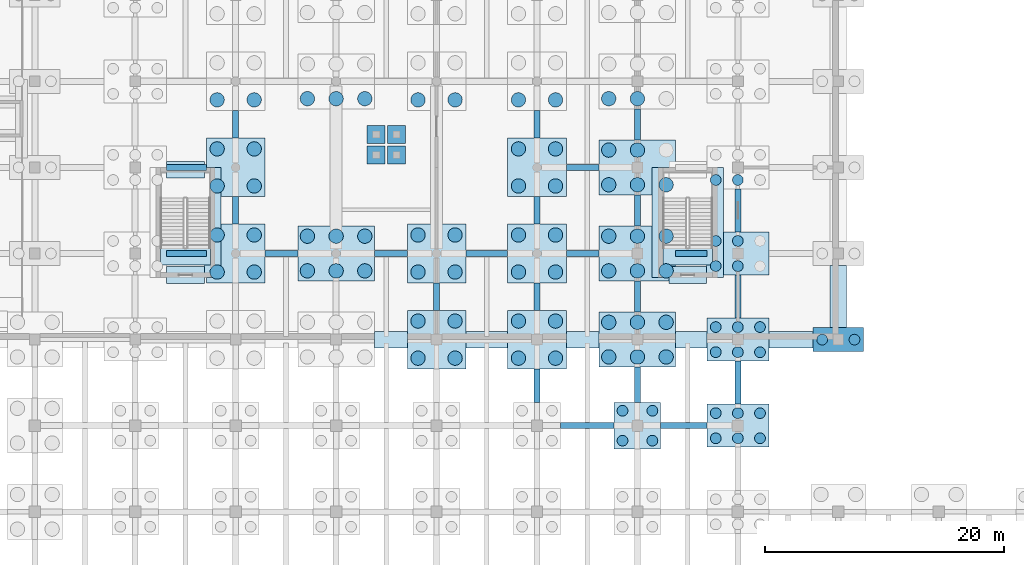
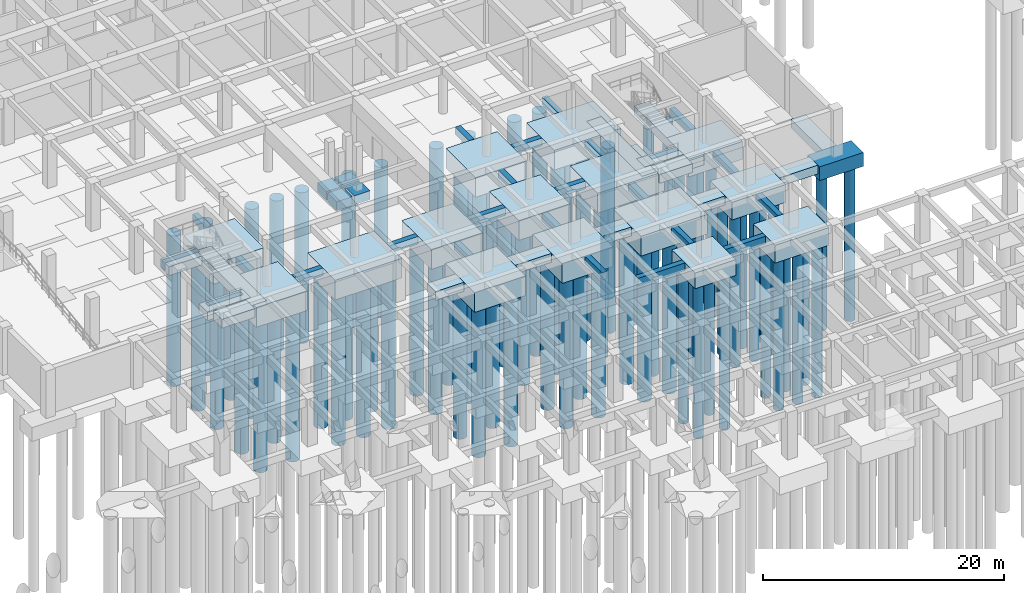
# One storey, part 5 of 26: 86 piles, 58 footings.
"""IFC4 building model written with IfcOpenShell, lengths in metres."""

from ifc_helpers import new_model, si_unit, direction, frame, origin, origin_2d, place, context, subcontext, project, spatial, rectangle, circle, extrude, material, material_profile, profile_set, type_object, element, save


model = new_model("IFC4")

# Units and contexts
model_context = context("Model", 3, precision=1e-05, world=origin(), true_north=direction((0.0, 1.0)))
body_context = subcontext(model_context, "Body", "Model", "MODEL_VIEW")
ifc_project = project(units=[si_unit("LENGTHUNIT", "METRE"), si_unit("AREAUNIT", "SQUARE_METRE"), si_unit("VOLUMEUNIT", "CUBIC_METRE"), si_unit("PLANEANGLEUNIT", "RADIAN"), si_unit("MASSUNIT", "GRAM", prefix="KILO")], contexts=[model_context])

# Site, building, storey
site_placement = place(None, origin())
site = spatial("IfcSite", under=ifc_project, at=site_placement, CompositionType="ELEMENT")
building_placement = place(site_placement, origin())
building = spatial("IfcBuilding", under=site, at=building_placement, Name="Kenerak Square Central Library", CompositionType="ELEMENT")
storey_placement = place(building_placement, frame((0.0, 0.0, -4.800048828125)))
storey = spatial("IfcBuildingStorey", under=building, at=storey_placement, Name="B1", CompositionType="ELEMENT", Elevation=-4.800048828125)

# Piles
ifc_material = material(Name="Concrete C40/50", Category="concrete")
ifc_material_profile_1 = material_profile(ifc_material, circle(Radius=0.60009765625, at=origin_2d()), Name="BP D1200")
ifc_profile_set_1 = profile_set([ifc_material_profile_1], Name="Concrete C40/50")
pile_type_1 = type_object("IfcPileType", Name="Bored Pile D1200 C40/50", PredefinedType="BORED", material=ifc_profile_set_1)
for number, where, z_axis, x_axis, name in (
    (1, (73.64990234375, 58.449951171875, -1.89990234375), (0.0, 0.0, -1.0), (1.0, 0.0, 0.0), "Bored Pile BP-1200 0303"),
    (2, (76.75, 58.449951171875, -1.89990234375), (0.0, 0.0, -1.0), (1.0, 0.0, 0.0), "Bored Pile BP-1200 0304"),
    (3, (73.64990234375, 61.550048828125, -1.89990234375), (0.0, 0.0, -1.0), (1.0, 0.0, 0.0), "Bored Pile BP-1200 0305"),
    (4, (76.75, 61.550048828125, -1.89990234375), (0.0, 0.0, -1.0), (1.0, 0.0, 0.0), "Bored Pile BP-1200 0306"),
    (5, (73.64990234375, 65.64990234375, -1.89990234375), (0.0, 0.0, -1.0), (1.0, 0.0, 0.0), "Bored Pile BP-1200 0307"),
    (6, (76.75, 65.64990234375, -1.89990234375), (0.0, 0.0, -1.0), (1.0, 0.0, 0.0), "Bored Pile BP-1200 0308"),
    (7, (73.64990234375, 68.75, -1.89990234375), (0.0, 0.0, -1.0), (1.0, 0.0, 0.0), "Bored Pile BP-1200 0309"),
    (8, (76.75, 68.75, -1.89990234375), (0.0, 0.0, -1.0), (1.0, 0.0, 0.0), "Bored Pile BP-1200 0310"),
    (9, (73.64990234375, 72.85009765625, -1.89990234375), (0.0, 0.0, -1.0), (1.0, 0.0, 0.0), "Bored Pile BP-1200 0311"),
    (10, (76.75, 72.85009765625, -1.89990234375), (0.0, 0.0, -1.0), (1.0, 0.0, 0.0), "Bored Pile BP-1200 0312"),
    (11, (81.199951171875, 58.550048828125, -1.89990234375), (0.0, 0.0, -1.0), (1.0, 0.0, 0.0), "Bored Pile BP-1200 0367"),
    (12, (83.60009765625, 58.550048828125, -1.89990234375), (0.0, 0.0, -1.0), (1.0, 0.0, 0.0), "Bored Pile BP-1200 0368"),
    (13, (86.0, 58.550048828125, -1.89990234375), (0.0, 0.0, -1.0), (1.0, 0.0, 0.0), "Bored Pile BP-1200 0369"),
    (14, (81.199951171875, 61.449951171875, -1.89990234375), (0.0, 0.0, -1.0), (1.0, 0.0, 0.0), "Bored Pile BP-1200 0370"),
    (15, (83.60009765625, 61.449951171875, -1.89990234375), (0.0, 0.0, -1.0), (1.0, 0.0, 0.0), "Bored Pile BP-1200 0371"),
    (16, (86.0, 61.449951171875, -1.89990234375), (0.0, 0.0, -1.0), (1.0, 0.0, 0.0), "Bored Pile BP-1200 0372"),
    (17, (81.199951171875, 72.949951171875, -1.89990234375), (0.0, 0.0, -1.0), (1.0, 0.0, 0.0), "Bored Pile BP-1200 0373"),
    (18, (83.60009765625, 72.949951171875, -1.89990234375), (0.0, 0.0, -1.0), (1.0, 0.0, 0.0), "Bored Pile BP-1200 0374"),
    (19, (86.0, 72.949951171875, -1.89990234375), (0.0, 0.0, -1.0), (1.0, 0.0, 0.0), "Bored Pile BP-1200 0375"),
    (20, (90.449951171875, 51.25, -1.89990234375), (0.0, 0.0, -1.0), (1.0, 0.0, 0.0), "Bored Pile BP-1200 0433"),
    (21, (93.550048828125, 51.25, -1.89990234375), (0.0, 0.0, -1.0), (1.0, 0.0, 0.0), "Bored Pile BP-1200 0434"),
    (22, (90.449951171875, 54.35009765625, -1.89990234375), (0.0, 0.0, -1.0), (1.0, 0.0, 0.0), "Bored Pile BP-1200 0435"),
    (23, (93.550048828125, 54.35009765625, -1.89990234375), (0.0, 0.0, -1.0), (1.0, 0.0, 0.0), "Bored Pile BP-1200 0436"),
    (24, (90.449951171875, 58.449951171875, -1.89990234375), (0.0, 0.0, -1.0), (1.0, 0.0, 0.0), "Bored Pile BP-1200 0437"),
    (25, (93.550048828125, 58.449951171875, -1.89990234375), (0.0, 0.0, -1.0), (1.0, 0.0, 0.0), "Bored Pile BP-1200 0438"),
    (26, (90.449951171875, 61.550048828125, -1.89990234375), (0.0, 0.0, -1.0), (1.0, 0.0, 0.0), "Bored Pile BP-1200 0439"),
    (27, (93.550048828125, 61.550048828125, -1.89990234375), (0.0, 0.0, -1.0), (1.0, 0.0, 0.0), "Bored Pile BP-1200 0440"),
    (28, (90.449951171875, 72.85009765625, -1.89990234375), (0.0, 0.0, -1.0), (1.0, 0.0, 0.0), "Bored Pile BP-1200 0441"),
    (29, (93.550048828125, 72.85009765625, -1.89990234375), (0.0, 0.0, -1.0), (1.0, 0.0, 0.0), "Bored Pile BP-1200 0442"),
    (30, (98.85009765625, 51.25, -1.89990234375), (0.0, 0.0, -1.0), (1.0, 0.0, 0.0), "Bored Pile BP-1200 0489"),
    (31, (101.949951171875, 51.25, -1.89990234375), (0.0, 0.0, -1.0), (1.0, 0.0, 0.0), "Bored Pile BP-1200 0490"),
    (32, (98.85009765625, 54.35009765625, -1.89990234375), (0.0, 0.0, -1.0), (1.0, 0.0, 0.0), "Bored Pile BP-1200 0491"),
    (33, (101.949951171875, 54.35009765625, -1.89990234375), (0.0, 0.0, -1.0), (1.0, 0.0, 0.0), "Bored Pile BP-1200 0492"),
    (34, (98.85009765625, 58.449951171875, -1.89990234375), (0.0, 0.0, -1.0), (1.0, 0.0, 0.0), "Bored Pile BP-1200 0493"),
    (35, (101.949951171875, 58.449951171875, -1.89990234375), (0.0, 0.0, -1.0), (1.0, 0.0, 0.0), "Bored Pile BP-1200 0494"),
    (36, (98.85009765625, 61.550048828125, -1.89990234375), (0.0, 0.0, -1.0), (1.0, 0.0, 0.0), "Bored Pile BP-1200 0495"),
    (37, (101.949951171875, 61.550048828125, -1.89990234375), (0.0, 0.0, -1.0), (1.0, 0.0, 0.0), "Bored Pile BP-1200 0496"),
    (38, (98.85009765625, 65.64990234375, -1.89990234375), (0.0, 0.0, -1.0), (1.0, 0.0, 0.0), "Bored Pile BP-1200 0497"),
    (39, (101.949951171875, 65.64990234375, -1.89990234375), (0.0, 0.0, -1.0), (1.0, 0.0, 0.0), "Bored Pile BP-1200 0498"),
    (40, (98.85009765625, 68.75, -1.89990234375), (0.0, 0.0, -1.0), (1.0, 0.0, 0.0), "Bored Pile BP-1200 0499"),
    (41, (101.949951171875, 68.75, -1.89990234375), (0.0, 0.0, -1.0), (1.0, 0.0, 0.0), "Bored Pile BP-1200 0500"),
    (42, (98.85009765625, 72.85009765625, -1.89990234375), (0.0, 0.0, -1.0), (1.0, 0.0, 0.0), "Bored Pile BP-1200 0501"),
    (43, (101.949951171875, 72.85009765625, -1.89990234375), (0.0, 0.0, -1.0), (1.0, 0.0, 0.0), "Bored Pile BP-1200 0502"),
    (44, (106.39990234375, 51.35009765625, -1.89990234375), (0.0, 0.0, -1.0), (1.0, 0.0, 0.0), "Bored Pile BP-1200 0551"),
    (45, (108.800048828125, 51.35009765625, -1.89990234375), (0.0, 0.0, -1.0), (1.0, 0.0, 0.0), "Bored Pile BP-1200 0552"),
    (46, (111.199951171875, 51.35009765625, -1.89990234375), (0.0, 0.0, -1.0), (1.0, 0.0, 0.0), "Bored Pile BP-1200 0553"),
    (47, (106.39990234375, 54.25, -1.89990234375), (0.0, 0.0, -1.0), (1.0, 0.0, 0.0), "Bored Pile BP-1200 0554"),
    (48, (108.800048828125, 54.25, -1.89990234375), (0.0, 0.0, -1.0), (1.0, 0.0, 0.0), "Bored Pile BP-1200 0555"),
    (49, (111.199951171875, 54.25, -1.89990234375), (0.0, 0.0, -1.0), (1.0, 0.0, 0.0), "Bored Pile BP-1200 0556"),
    (50, (106.39990234375, 58.550048828125, -1.89990234375), (0.0, 0.0, -1.0), (1.0, 0.0, 0.0), "Bored Pile BP-1200 0557"),
    (51, (108.800048828125, 58.550048828125, -1.89990234375), (0.0, 0.0, -1.0), (1.0, 0.0, 0.0), "Bored Pile BP-1200 0558"),
    (52, (111.199951171875, 58.550048828125, -1.89990234375), (0.0, 0.0, -1.0), (1.0, 0.0, 0.0), "Bored Pile BP-1200 0559"),
    (53, (106.39990234375, 61.449951171875, -1.89990234375), (0.0, 0.0, -1.0), (1.0, 0.0, 0.0), "Bored Pile BP-1200 0560"),
    (54, (108.800048828125, 61.449951171875, -1.89990234375), (0.0, 0.0, -1.0), (1.0, 0.0, 0.0), "Bored Pile BP-1200 0561"),
    (55, (111.199951171875, 61.449951171875, -1.89990234375), (0.0, 0.0, -1.0), (1.0, 0.0, 0.0), "Bored Pile BP-1200 0562"),
    (56, (106.39990234375, 65.75, -1.89990234375), (0.0, 0.0, -1.0), (1.0, 0.0, 0.0), "Bored Pile BP-1200 0563"),
    (57, (108.800048828125, 65.75, -1.89990234375), (0.0, 0.0, -1.0), (1.0, 0.0, 0.0), "Bored Pile BP-1200 0564"),
    (58, (111.199951171875, 65.75, -1.89990234375), (0.0, 0.0, -1.0), (1.0, 0.0, 0.0), "Bored Pile BP-1200 0565"),
    (59, (106.39990234375, 68.64990234375, -1.89990234375), (0.0, 0.0, -1.0), (1.0, 0.0, 0.0), "Bored Pile BP-1200 0566"),
    (60, (108.800048828125, 68.64990234375, -1.89990234375), (0.0, 0.0, -1.0), (1.0, 0.0, 0.0), "Bored Pile BP-1200 0567"),
    (61, (106.39990234375, 72.949951171875, -1.89990234375), (0.0, 0.0, -1.0), (1.0, 0.0, 0.0), "Bored Pile BP-1200 0569"),
    (62, (108.800048828125, 72.949951171875, -1.89990234375), (0.0, 0.0, -1.0), (1.0, 0.0, 0.0), "Bored Pile BP-1200 0570"),
):
    element("IfcPile", number, at=place(storey_placement, frame(where, z_axis=z_axis, x_axis=x_axis)), inside=storey, type_object=pile_type_1, Name=name, PredefinedType="BORED", context=body_context, shape_type="SweptSolid", body=[
        extrude(circle(Radius=0.60009765625, at=origin_2d()), origin(), (0.0, 0.0, 1.0), 15.300048828125),
    ])
ifc_material_profile_2 = material_profile(ifc_material, circle(Radius=0.449951171875, at=origin_2d()), Name="BP D900")
ifc_profile_set_2 = profile_set([ifc_material_profile_2], Name="Concrete C40/50")
pile_type_2 = type_object("IfcPileType", Name="Bored Pile D900 C40/50", PredefinedType="BORED", material=ifc_profile_set_2)
for number, where, z_axis, x_axis, name in (
    (63, (107.550048828125, 44.35009765625, -1.5), (0.0, 0.0, -1.0), (1.0, 0.0, 0.0), "Bored Pile BP-900 0547"),
    (64, (110.050048828125, 44.35009765625, -1.5), (0.0, 0.0, -1.0), (1.0, 0.0, 0.0), "Bored Pile BP-900 0548"),
    (65, (107.550048828125, 46.85009765625, -1.5), (0.0, 0.0, -1.0), (1.0, 0.0, 0.0), "Bored Pile BP-900 0549"),
    (66, (110.050048828125, 46.85009765625, -1.5), (0.0, 0.0, -1.0), (1.0, 0.0, 0.0), "Bored Pile BP-900 0550"),
):
    element("IfcPile", number, at=place(storey_placement, frame(where, z_axis=z_axis, x_axis=x_axis)), inside=storey, type_object=pile_type_2, Name=name, PredefinedType="BORED", context=body_context, shape_type="SweptSolid", body=[
        extrude(circle(Radius=0.449951171875, at=origin_2d()), origin(), (0.0, 0.0, 1.0), 15.699951171875),
    ])
for number, where, z_axis, x_axis, name in (
    (67, (115.35009765625, 44.550048828125, -1.699951171875), (0.0, 0.0, -1.0), (1.0, 0.0, 0.0), "Bored Pile BP-900 0635"),
    (68, (117.199951171875, 44.550048828125, -1.699951171875), (0.0, 0.0, -1.0), (1.0, 0.0, 0.0), "Bored Pile BP-900 0636"),
    (69, (119.050048828125, 44.550048828125, -1.699951171875), (0.0, 0.0, -1.0), (1.0, 0.0, 0.0), "Bored Pile BP-900 0637"),
    (70, (115.35009765625, 46.64990234375, -1.699951171875), (0.0, 0.0, -1.0), (1.0, 0.0, 0.0), "Bored Pile BP-900 0638"),
    (71, (117.199951171875, 46.64990234375, -1.699951171875), (0.0, 0.0, -1.0), (1.0, 0.0, 0.0), "Bored Pile BP-900 0639"),
    (72, (119.050048828125, 46.64990234375, -1.699951171875), (0.0, 0.0, -1.0), (1.0, 0.0, 0.0), "Bored Pile BP-900 0640"),
    (73, (115.35009765625, 51.75, -1.699951171875), (0.0, 0.0, -1.0), (1.0, 0.0, 0.0), "Bored Pile BP-900 0641"),
    (74, (117.199951171875, 51.75, -1.699951171875), (0.0, 0.0, -1.0), (1.0, 0.0, 0.0), "Bored Pile BP-900 0642"),
    (75, (119.050048828125, 51.75, -1.699951171875), (0.0, 0.0, -1.0), (1.0, 0.0, 0.0), "Bored Pile BP-900 0643"),
    (76, (115.35009765625, 53.85009765625, -1.699951171875), (0.0, 0.0, -1.0), (1.0, 0.0, 0.0), "Bored Pile BP-900 0644"),
    (77, (117.199951171875, 53.85009765625, -1.699951171875), (0.0, 0.0, -1.0), (1.0, 0.0, 0.0), "Bored Pile BP-900 0645"),
    (78, (119.050048828125, 53.85009765625, -1.699951171875), (0.0, 0.0, -1.0), (1.0, 0.0, 0.0), "Bored Pile BP-900 0646"),
    (79, (115.35009765625, 58.949951171875, -1.699951171875), (0.0, 0.0, -1.0), (1.0, 0.0, 0.0), "Bored Pile BP-900 0647"),
    (80, (117.199951171875, 58.949951171875, -1.699951171875), (0.0, 0.0, -1.0), (1.0, 0.0, 0.0), "Bored Pile BP-900 0648"),
    (81, (115.35009765625, 61.050048828125, -1.699951171875), (0.0, 0.0, -1.0), (1.0, 0.0, 0.0), "Bored Pile BP-900 0650"),
    (82, (117.199951171875, 61.050048828125, -1.699951171875), (0.0, 0.0, -1.0), (1.0, 0.0, 0.0), "Bored Pile BP-900 0651"),
    (83, (115.35009765625, 66.14990234375, -1.699951171875), (0.0, 0.0, -1.0), (1.0, 0.0, 0.0), "Bored Pile BP-900 0653"),
    (84, (117.199951171875, 66.14990234375, -1.699951171875), (0.0, 0.0, -1.0), (1.0, 0.0, 0.0), "Bored Pile BP-900 0654"),
):
    element("IfcPile", number, at=place(storey_placement, frame(where, z_axis=z_axis, x_axis=x_axis)), inside=storey, type_object=pile_type_2, Name=name, PredefinedType="BORED", context=body_context, shape_type="SweptSolid", body=[
        extrude(circle(Radius=0.449951171875, at=origin_2d()), origin(), (0.0, 0.0, 1.0), 15.5),
    ])
for number, where, z_axis, x_axis, name in (
    (85, (124.25, 52.800048828125, -1.300048828125), (0.0, 0.0, -1.0), (1.0, 0.0, 0.0), "Bored Pile BP-900 0703"),
    (86, (126.949951171875, 52.800048828125, -1.300048828125), (0.0, 0.0, -1.0), (1.0, 0.0, 0.0), "Bored Pile BP-900 0704"),
):
    element("IfcPile", number, at=place(storey_placement, frame(where, z_axis=z_axis, x_axis=x_axis)), inside=storey, type_object=pile_type_2, Name=name, PredefinedType="BORED", context=body_context, shape_type="SweptSolid", body=[
        extrude(circle(Radius=0.449951171875, at=origin_2d()), origin(), (0.0, 0.0, 1.0), 15.89990234375),
    ])

# Footings
footing_type_1 = type_object("IfcFootingType", Name="Feature Stair Pad Footing PF-05 1500x1500x900", PredefinedType="PAD_FOOTING", material=ifc_material)
for number, where, z_axis, x_axis, name in (
    (87, (86.949951171875, 68.25, -0.89990234375), (0.0, 0.0, 1.0), (1.0, 0.0, 0.0), "Feature Stair Pad Footing PF-05 1"),
    (88, (88.64990234375, 68.25, -0.89990234375), (0.0, 0.0, 1.0), (1.0, 0.0, 0.0), "Feature Stair Pad Footing PF-05 2"),
    (89, (86.949951171875, 69.949951171875, -0.89990234375), (0.0, 0.0, 1.0), (1.0, 0.0, 0.0), "Feature Stair Pad Footing PF-05 3"),
    (90, (88.64990234375, 69.949951171875, -0.89990234375), (0.0, 0.0, 1.0), (1.0, 0.0, 0.0), "Feature Stair Pad Footing PF-05 4"),
):
    element("IfcFooting", number, at=place(storey_placement, frame(where, z_axis=z_axis, x_axis=x_axis)), inside=storey, type_object=footing_type_1, Name=name, PredefinedType="PAD_FOOTING", context=body_context, shape_type="SweptSolid", body=[
        extrude(rectangle(XDim=1.5, YDim=1.5, at=origin_2d()), origin(), (0.0, 0.0, 1.0), 0.89990234375),
    ])
footing_type_2 = type_object("IfcFootingType", Name="Ground Tie Beam GB-01 500x750", PredefinedType="FOOTING_BEAM", material=ifc_material)
for number, where, z_axis, x_axis, name in (
    (91, (71.074951171875, 60.0, -0.75), (0.0, 0.0, 1.0), (1.0, 0.0, 0.0), "Ground Tie Beam 090"),
    (92, (71.074951171875, 67.199951171875, -0.75), (0.0, 0.0, 1.0), (1.0, 0.0, 0.0), "Ground Tie Beam 092"),
):
    element("IfcFooting", number, at=place(storey_placement, frame(where, z_axis=z_axis, x_axis=x_axis)), inside=storey, type_object=footing_type_2, Name=name, PredefinedType="FOOTING_BEAM", context=body_context, shape_type="SweptSolid", body=[
        extrude(rectangle(XDim=3.35009765625, YDim=0.5, at=origin_2d()), origin(), (0.0, 0.0, 1.0), 0.75),
    ])
footing_1_placement = place(storey_placement, frame((79.02490234375, 60.0, -0.75), z_axis=(0.0, 0.0, 1.0), x_axis=(1.0, 0.0, 0.0)))
element("IfcFooting", 93, at=footing_1_placement, inside=storey, type_object=footing_type_2, Name="Ground Tie Beam 116", PredefinedType="FOOTING_BEAM", context=body_context, shape_type="SweptSolid", body=[
    extrude(rectangle(XDim=2.75, YDim=0.5, at=origin_2d()), origin(), (0.0, 0.0, 1.0), 0.75),
])
for number, where, z_axis, x_axis, name in (
    (94, (75.199951171875, 63.60009765625, -0.75), (0.0, 0.0, 1.0), (1.0, 0.0, 0.0), "Ground Tie Beam 117"),
    (95, (75.199951171875, 70.800048828125, -0.75), (0.0, 0.0, 1.0), (1.0, 0.0, 0.0), "Ground Tie Beam 118"),
):
    element("IfcFooting", number, at=place(storey_placement, frame(where, z_axis=z_axis, x_axis=x_axis)), inside=storey, type_object=footing_type_2, Name=name, PredefinedType="FOOTING_BEAM", context=body_context, shape_type="SweptSolid", body=[
        extrude(rectangle(XDim=0.5, YDim=2.300048828125, at=origin_2d()), origin(), (0.0, 0.0, 1.0), 0.75),
    ])
footing_2_placement = place(storey_placement, frame((88.175048828125, 60.0, -0.75), z_axis=(0.0, 0.0, 1.0), x_axis=(1.0, 0.0, 0.0)))
element("IfcFooting", 96, at=footing_2_placement, inside=storey, type_object=footing_type_2, Name="Ground Tie Beam 141", PredefinedType="FOOTING_BEAM", context=body_context, shape_type="SweptSolid", body=[
    extrude(rectangle(XDim=2.75, YDim=0.5, at=origin_2d()), origin(), (0.0, 0.0, 1.0), 0.75),
])
footing_3_placement = place(storey_placement, frame((92.0, 56.39990234375, -0.75), z_axis=(0.0, 0.0, 1.0), x_axis=(1.0, 0.0, 0.0)))
element("IfcFooting", 97, at=footing_3_placement, inside=storey, type_object=footing_type_2, Name="Ground Tie Beam 163", PredefinedType="FOOTING_BEAM", context=body_context, shape_type="SweptSolid", body=[
    extrude(rectangle(XDim=0.5, YDim=2.300048828125, at=origin_2d()), origin(), (0.0, 0.0, 1.0), 0.75),
])
footing_4_placement = place(storey_placement, frame((96.199951171875, 60.0, -0.75), z_axis=(0.0, 0.0, 1.0), x_axis=(1.0, 0.0, 0.0)))
element("IfcFooting", 98, at=footing_4_placement, inside=storey, type_object=footing_type_2, Name="Ground Tie Beam 164", PredefinedType="FOOTING_BEAM", context=body_context, shape_type="SweptSolid", body=[
    extrude(rectangle(XDim=3.5, YDim=0.5, at=origin_2d()), origin(), (0.0, 0.0, 1.0), 0.75),
])
footing_5_placement = place(storey_placement, frame((104.60009765625, 45.60009765625, -0.75), z_axis=(0.0, 0.0, 1.0), x_axis=(1.0, 0.0, 0.0)))
element("IfcFooting", 99, at=footing_5_placement, inside=storey, type_object=footing_type_2, Name="Ground Tie Beam 184", PredefinedType="FOOTING_BEAM", context=body_context, shape_type="SweptSolid", body=[
    extrude(rectangle(XDim=4.5, YDim=0.5, at=origin_2d()), origin(), (0.0, 0.0, 1.0), 0.75),
])
footing_6_placement = place(storey_placement, frame((100.39990234375, 48.949951171875, -0.75), z_axis=(0.0, 0.0, 1.0), x_axis=(1.0, 0.0, 0.0)))
element("IfcFooting", 100, at=footing_6_placement, inside=storey, type_object=footing_type_2, Name="Ground Tie Beam 185", PredefinedType="FOOTING_BEAM", context=body_context, shape_type="SweptSolid", body=[
    extrude(rectangle(XDim=0.5, YDim=2.800048828125, at=origin_2d()), origin(), (0.0, 0.0, 1.0), 0.75),
])
footing_7_placement = place(storey_placement, frame((100.39990234375, 56.39990234375, -0.75), z_axis=(0.0, 0.0, 1.0), x_axis=(1.0, 0.0, 0.0)))
element("IfcFooting", 101, at=footing_7_placement, inside=storey, type_object=footing_type_2, Name="Ground Tie Beam 186", PredefinedType="FOOTING_BEAM", context=body_context, shape_type="SweptSolid", body=[
    extrude(rectangle(XDim=0.5, YDim=2.300048828125, at=origin_2d()), origin(), (0.0, 0.0, 1.0), 0.75),
])
footing_8_placement = place(storey_placement, frame((104.22509765625, 60.0, -0.75), z_axis=(0.0, 0.0, 1.0), x_axis=(1.0, 0.0, 0.0)))
element("IfcFooting", 102, at=footing_8_placement, inside=storey, type_object=footing_type_2, Name="Ground Tie Beam 187", PredefinedType="FOOTING_BEAM", context=body_context, shape_type="SweptSolid", body=[
    extrude(rectangle(XDim=2.75, YDim=0.5, at=origin_2d()), origin(), (0.0, 0.0, 1.0), 0.75),
])
footing_9_placement = place(storey_placement, frame((100.39990234375, 63.60009765625, -0.75), z_axis=(0.0, 0.0, 1.0), x_axis=(1.0, 0.0, 0.0)))
element("IfcFooting", 103, at=footing_9_placement, inside=storey, type_object=footing_type_2, Name="Ground Tie Beam 188", PredefinedType="FOOTING_BEAM", context=body_context, shape_type="SweptSolid", body=[
    extrude(rectangle(XDim=0.5, YDim=2.300048828125, at=origin_2d()), origin(), (0.0, 0.0, 1.0), 0.75),
])
footing_10_placement = place(storey_placement, frame((104.22509765625, 67.199951171875, -0.75), z_axis=(0.0, 0.0, 1.0), x_axis=(1.0, 0.0, 0.0)))
element("IfcFooting", 104, at=footing_10_placement, inside=storey, type_object=footing_type_2, Name="Ground Tie Beam 189", PredefinedType="FOOTING_BEAM", context=body_context, shape_type="SweptSolid", body=[
    extrude(rectangle(XDim=2.75, YDim=0.5, at=origin_2d()), origin(), (0.0, 0.0, 1.0), 0.75),
])
footing_11_placement = place(storey_placement, frame((100.39990234375, 70.800048828125, -0.75), z_axis=(0.0, 0.0, 1.0), x_axis=(1.0, 0.0, 0.0)))
element("IfcFooting", 105, at=footing_11_placement, inside=storey, type_object=footing_type_2, Name="Ground Tie Beam 190", PredefinedType="FOOTING_BEAM", context=body_context, shape_type="SweptSolid", body=[
    extrude(rectangle(XDim=0.5, YDim=2.300048828125, at=origin_2d()), origin(), (0.0, 0.0, 1.0), 0.75),
])
footing_12_placement = place(storey_placement, frame((112.675048828125, 45.60009765625, -0.75), z_axis=(0.0, 0.0, 1.0), x_axis=(1.0, 0.0, 0.0)))
element("IfcFooting", 106, at=footing_12_placement, inside=storey, type_object=footing_type_2, Name="Ground Tie Beam 210", PredefinedType="FOOTING_BEAM", context=body_context, shape_type="SweptSolid", body=[
    extrude(rectangle(XDim=3.85009765625, YDim=0.5, at=origin_2d()), origin(), (0.0, 0.0, 1.0), 0.75),
])
footing_13_placement = place(storey_placement, frame((108.800048828125, 49.02490234375, -0.75), z_axis=(0.0, 0.0, 1.0), x_axis=(1.0, 0.0, 0.0)))
element("IfcFooting", 107, at=footing_13_placement, inside=storey, type_object=footing_type_2, Name="Ground Tie Beam 211", PredefinedType="FOOTING_BEAM", context=body_context, shape_type="SweptSolid", body=[
    extrude(rectangle(XDim=0.5, YDim=2.949951171875, at=origin_2d()), origin(), (0.0, 0.0, 1.0), 0.75),
])
footing_14_placement = place(storey_placement, frame((108.800048828125, 56.39990234375, -0.75), z_axis=(0.0, 0.0, 1.0), x_axis=(1.0, 0.0, 0.0)))
element("IfcFooting", 108, at=footing_14_placement, inside=storey, type_object=footing_type_2, Name="Ground Tie Beam 212", PredefinedType="FOOTING_BEAM", context=body_context, shape_type="SweptSolid", body=[
    extrude(rectangle(XDim=0.5, YDim=2.60009765625, at=origin_2d()), origin(), (0.0, 0.0, 1.0), 0.75),
])
footing_15_placement = place(storey_placement, frame((113.300048828125, 60.0, -0.75), z_axis=(0.0, 0.0, 1.0), x_axis=(1.0, 0.0, 0.0)))
element("IfcFooting", 109, at=footing_15_placement, inside=storey, type_object=footing_type_2, Name="Ground Tie Beam 213", PredefinedType="FOOTING_BEAM", context=body_context, shape_type="SweptSolid", body=[
    extrude(rectangle(XDim=2.60009765625, YDim=0.5, at=origin_2d()), origin(), (0.0, 0.0, 1.0), 0.75),
])
for number, where, z_axis, x_axis, name in (
    (110, (108.800048828125, 63.60009765625, -0.75), (0.0, 0.0, 1.0), (1.0, 0.0, 0.0), "Ground Tie Beam 214"),
    (111, (108.800048828125, 70.800048828125, -0.75), (0.0, 0.0, 1.0), (1.0, 0.0, 0.0), "Ground Tie Beam 216"),
):
    element("IfcFooting", number, at=place(storey_placement, frame(where, z_axis=z_axis, x_axis=x_axis)), inside=storey, type_object=footing_type_2, Name=name, PredefinedType="FOOTING_BEAM", context=body_context, shape_type="SweptSolid", body=[
        extrude(rectangle(XDim=0.5, YDim=2.60009765625, at=origin_2d()), origin(), (0.0, 0.0, 1.0), 0.75),
    ])
for number, where, z_axis, x_axis, name in (
    (112, (117.199951171875, 49.199951171875, -0.75), (0.0, 0.0, 1.0), (1.0, 0.0, 0.0), "Ground Tie Beam 235"),
    (113, (117.199951171875, 56.39990234375, -0.75), (0.0, 0.0, 1.0), (1.0, 0.0, 0.0), "Ground Tie Beam 236"),
    (114, (117.199951171875, 63.60009765625, -0.75), (0.0, 0.0, 1.0), (1.0, 0.0, 0.0), "Ground Tie Beam 238"),
):
    element("IfcFooting", number, at=place(storey_placement, frame(where, z_axis=z_axis, x_axis=x_axis)), inside=storey, type_object=footing_type_2, Name=name, PredefinedType="FOOTING_BEAM", context=body_context, shape_type="SweptSolid", body=[
        extrude(rectangle(XDim=0.5, YDim=3.60009765625, at=origin_2d()), origin(), (0.0, 0.0, 1.0), 0.75),
    ])
footing_type_3 = type_object("IfcFootingType", Name="Pile Cap PC-01 4200x2000x1400", PredefinedType="PILE_CAP", material=ifc_material)
footing_16_placement = place(storey_placement, frame((125.60009765625, 52.800048828125, -1.39990234375), z_axis=(0.0, 0.0, 1.0), x_axis=(1.0, 0.0, 0.0)))
element("IfcFooting", 115, at=footing_16_placement, inside=storey, type_object=footing_type_3, Name="Pile Cap PC-01 162", PredefinedType="PILE_CAP", context=body_context, shape_type="SweptSolid", body=[
    extrude(rectangle(XDim=4.199951171875, YDim=2.0, at=origin_2d()), origin(), (0.0, 0.0, 1.0), 1.39990234375),
])
footing_type_4 = type_object("IfcFootingType", Name="Pile Cap PC-03 3900x3900x1600", PredefinedType="PILE_CAP", material=ifc_material)
footing_17_placement = place(storey_placement, frame((108.800048828125, 45.60009765625, -1.60009765625), z_axis=(0.0, 0.0, 1.0), x_axis=(1.0, 0.0, 0.0)))
element("IfcFooting", 116, at=footing_17_placement, inside=storey, type_object=footing_type_4, Name="Pile Cap PC-03 133", PredefinedType="PILE_CAP", context=body_context, shape_type="SweptSolid", body=[
    extrude(rectangle(XDim=3.89990234375, YDim=3.89990234375, at=origin_2d()), origin(), (0.0, 0.0, 1.0), 1.60009765625),
])
footing_type_5 = type_object("IfcFootingType", Name="Pile Cap PC-05 5200x3600x1800", PredefinedType="PILE_CAP", material=ifc_material)
for number, where, z_axis, x_axis, name in (
    (117, (117.199951171875, 45.60009765625, -1.7998046875), (0.0, 0.0, 1.0), (1.0, 0.0, 0.0), "Pile Cap PC-05 148"),
    (118, (117.199951171875, 52.800048828125, -1.7998046875), (0.0, 0.0, 1.0), (1.0, 0.0, 0.0), "Pile Cap PC-05 149"),
    (119, (117.199951171875, 60.0, -1.7998046875), (0.0, 0.0, 1.0), (1.0, 0.0, 0.0), "Pile Cap PC-05 150"),
):
    element("IfcFooting", number, at=place(storey_placement, frame(where, z_axis=z_axis, x_axis=x_axis)), inside=storey, type_object=footing_type_5, Name=name, PredefinedType="PILE_CAP", context=body_context, shape_type="SweptSolid", body=[
        extrude(rectangle(XDim=5.199951171875, YDim=3.60009765625, at=origin_2d()), origin(), (0.0, 0.0, 1.0), 1.800048828125),
    ])
footing_type_6 = type_object("IfcFootingType", Name="Pile Cap PC-07 6400x4600x2000", PredefinedType="PILE_CAP", material=ifc_material)
for number, where, z_axis, x_axis, name in (
    (120, (83.60009765625, 60.0, -2.0), (0.0, 0.0, 1.0), (1.0, 0.0, 0.0), "Pile Cap PC-07 092"),
    (121, (108.800048828125, 52.800048828125, -2.0), (0.0, 0.0, 1.0), (1.0, 0.0, 0.0), "Pile Cap PC-07 134"),
    (122, (108.800048828125, 60.0, -2.0), (0.0, 0.0, 1.0), (1.0, 0.0, 0.0), "Pile Cap PC-07 135"),
    (123, (108.800048828125, 67.199951171875, -2.0), (0.0, 0.0, 1.0), (1.0, 0.0, 0.0), "Pile Cap PC-07 136"),
):
    element("IfcFooting", number, at=place(storey_placement, frame(where, z_axis=z_axis, x_axis=x_axis)), inside=storey, type_object=footing_type_6, Name=name, PredefinedType="PILE_CAP", context=body_context, shape_type="SweptSolid", body=[
        extrude(rectangle(XDim=6.39990234375, YDim=4.60009765625, at=origin_2d()), origin(), (0.0, 0.0, 1.0), 2.0),
    ])
footing_type_7 = type_object("IfcFootingType", Name="Pile Cap PC-08 4900x4900x2000", PredefinedType="PILE_CAP", material=ifc_material)
for number, where, z_axis, x_axis, name in (
    (124, (75.199951171875, 60.0, -2.0), (0.0, 0.0, 1.0), (1.0, 0.0, 0.0), "Pile Cap PC-08 077"),
    (125, (75.199951171875, 67.199951171875, -2.0), (0.0, 0.0, 1.0), (1.0, 0.0, 0.0), "Pile Cap PC-08 078"),
    (126, (92.0, 52.800048828125, -2.0), (0.0, 0.0, 1.0), (1.0, 0.0, 0.0), "Pile Cap PC-08 105"),
    (127, (92.0, 60.0, -2.0), (0.0, 0.0, 1.0), (1.0, 0.0, 0.0), "Pile Cap PC-08 106"),
    (128, (100.39990234375, 52.800048828125, -2.0), (0.0, 0.0, 1.0), (1.0, 0.0, 0.0), "Pile Cap PC-08 119"),
    (129, (100.39990234375, 60.0, -2.0), (0.0, 0.0, 1.0), (1.0, 0.0, 0.0), "Pile Cap PC-08 120"),
    (130, (100.39990234375, 67.199951171875, -2.0), (0.0, 0.0, 1.0), (1.0, 0.0, 0.0), "Pile Cap PC-08 121"),
):
    element("IfcFooting", number, at=place(storey_placement, frame(where, z_axis=z_axis, x_axis=x_axis)), inside=storey, type_object=footing_type_7, Name=name, PredefinedType="PILE_CAP", context=body_context, shape_type="SweptSolid", body=[
        extrude(rectangle(XDim=4.89990234375, YDim=4.89990234375, at=origin_2d()), origin(), (0.0, 0.0, 1.0), 2.0),
    ])
footing_type_8 = type_object("IfcFootingType", Name="Wall Strip Footing SF-01 1400x900", PredefinedType="STRIP_FOOTING", material=ifc_material)
footing_18_placement = place(storey_placement, frame((88.175048828125, 52.800048828125, -0.89990234375), z_axis=(0.0, 0.0, 1.0), x_axis=(1.0, 0.0, 0.0)))
element("IfcFooting", 131, at=footing_18_placement, inside=storey, type_object=footing_type_8, Name="Strip Footing SF-01 021", PredefinedType="STRIP_FOOTING", context=body_context, shape_type="SweptSolid", body=[
    extrude(rectangle(XDim=2.75, YDim=1.39990234375, at=origin_2d()), origin(), (0.0, 0.0, 1.0), 0.89990234375),
])
footing_19_placement = place(storey_placement, frame((96.199951171875, 52.800048828125, -0.89990234375), z_axis=(0.0, 0.0, 1.0), x_axis=(1.0, 0.0, 0.0)))
element("IfcFooting", 132, at=footing_19_placement, inside=storey, type_object=footing_type_8, Name="Strip Footing SF-01 023", PredefinedType="STRIP_FOOTING", context=body_context, shape_type="SweptSolid", body=[
    extrude(rectangle(XDim=3.5, YDim=1.39990234375, at=origin_2d()), origin(), (0.0, 0.0, 1.0), 0.89990234375),
])
footing_20_placement = place(storey_placement, frame((104.22509765625, 52.800048828125, -0.89990234375), z_axis=(0.0, 0.0, 1.0), x_axis=(1.0, 0.0, 0.0)))
element("IfcFooting", 133, at=footing_20_placement, inside=storey, type_object=footing_type_8, Name="Strip Footing SF-01 025", PredefinedType="STRIP_FOOTING", context=body_context, shape_type="SweptSolid", body=[
    extrude(rectangle(XDim=2.75, YDim=1.39990234375, at=origin_2d()), origin(), (0.0, 0.0, 1.0), 0.89990234375),
])
footing_21_placement = place(storey_placement, frame((113.300048828125, 52.800048828125, -0.89990234375), z_axis=(0.0, 0.0, 1.0), x_axis=(1.0, 0.0, 0.0)))
element("IfcFooting", 134, at=footing_21_placement, inside=storey, type_object=footing_type_8, Name="Strip Footing SF-01 027", PredefinedType="STRIP_FOOTING", context=body_context, shape_type="SweptSolid", body=[
    extrude(rectangle(XDim=2.60009765625, YDim=1.39990234375, at=origin_2d()), origin(), (0.0, 0.0, 1.0), 0.89990234375),
])
footing_22_placement = place(storey_placement, frame((121.64990234375, 52.800048828125, -0.89990234375), z_axis=(0.0, 0.0, 1.0), x_axis=(1.0, 0.0, 0.0)))
element("IfcFooting", 135, at=footing_22_placement, inside=storey, type_object=footing_type_8, Name="Strip Footing SF-01 029", PredefinedType="STRIP_FOOTING", context=body_context, shape_type="SweptSolid", body=[
    extrude(rectangle(XDim=3.699951171875, YDim=1.39990234375, at=origin_2d()), origin(), (0.0, 0.0, 1.0), 0.89990234375),
])
footing_23_placement = place(storey_placement, frame((125.60009765625, 56.39990234375, -0.89990234375), z_axis=(0.0, 0.0, 1.0), x_axis=(1.0, 0.0, 0.0)))
element("IfcFooting", 136, at=footing_23_placement, inside=storey, type_object=footing_type_8, Name="Strip Footing SF-01 034", PredefinedType="STRIP_FOOTING", context=body_context, shape_type="SweptSolid", body=[
    extrude(rectangle(XDim=1.39990234375, YDim=5.199951171875, at=origin_2d()), origin(), (0.0, 0.0, 1.0), 0.89990234375),
])
footing_24_placement = place(storey_placement, frame((73.280029296875, 62.60009765625, -0.89990234375), z_axis=(0.0, 0.0, 1.0), x_axis=(1.0, 0.0, 0.0)))
element("IfcFooting", 137, at=footing_24_placement, inside=storey, type_object=footing_type_8, Name="Strip Footing SF-01 SFCW-C8 E", PredefinedType="STRIP_FOOTING", context=body_context, shape_type="SweptSolid", body=[
    extrude(rectangle(XDim=1.39990234375, YDim=9.199951171875, at=origin_2d()), origin(), (0.0, 0.0, 1.0), 0.89990234375),
])
for number, where, z_axis, x_axis, name in (
    (138, (71.0, 58.199951171875, -0.89990234375), (0.0, 0.0, 1.0), (1.0, 0.0, 0.0), "Strip Footing SF-01 SFCW-C8 S"),
    (139, (71.0, 67.0, -0.89990234375), (0.0, 0.0, 1.0), (1.0, 0.0, 0.0), "Strip Footing SF-01 SFCW-C8 N"),
):
    element("IfcFooting", number, at=place(storey_placement, frame(where, z_axis=z_axis, x_axis=x_axis)), inside=storey, type_object=footing_type_8, Name=name, PredefinedType="STRIP_FOOTING", context=body_context, shape_type="SweptSolid", body=[
        extrude(rectangle(XDim=3.159912109375, YDim=1.39990234375, at=origin_2d()), origin(), (0.0, 0.0, 1.0), 0.89990234375),
    ])
footing_25_placement = place(storey_placement, frame((71.0, 59.75, -0.89990234375), z_axis=(0.0, 0.0, 1.0), x_axis=(1.0, 0.0, 0.0)))
element("IfcFooting", 140, at=footing_25_placement, inside=storey, type_object=footing_type_8, Name="Stair Threshold Footing ST-08 B1", PredefinedType="STRIP_FOOTING", context=body_context, shape_type="SweptSolid", body=[
    extrude(rectangle(XDim=4.159912109375, YDim=1.39990234375, at=origin_2d()), origin(), (0.0, 0.0, 1.0), 0.89990234375),
])
for number, where, z_axis, x_axis, name in (
    (141, (110.719970703125, 62.60009765625, -0.89990234375), (0.0, 0.0, 1.0), (1.0, 0.0, 0.0), "Strip Footing SF-01 SFCW-C9 W"),
    (142, (115.280029296875, 62.60009765625, -0.89990234375), (0.0, 0.0, 1.0), (1.0, 0.0, 0.0), "Strip Footing SF-01 SFCW-C9 E"),
):
    element("IfcFooting", number, at=place(storey_placement, frame(where, z_axis=z_axis, x_axis=x_axis)), inside=storey, type_object=footing_type_8, Name=name, PredefinedType="STRIP_FOOTING", context=body_context, shape_type="SweptSolid", body=[
        extrude(rectangle(XDim=1.39990234375, YDim=9.199951171875, at=origin_2d()), origin(), (0.0, 0.0, 1.0), 0.89990234375),
    ])
footing_26_placement = place(storey_placement, frame((113.0, 58.199951171875, -0.89990234375), z_axis=(0.0, 0.0, 1.0), x_axis=(1.0, 0.0, 0.0)))
element("IfcFooting", 143, at=footing_26_placement, inside=storey, type_object=footing_type_8, Name="Strip Footing SF-01 SFCW-C9 S", PredefinedType="STRIP_FOOTING", context=body_context, shape_type="SweptSolid", body=[
    extrude(rectangle(XDim=3.159912109375, YDim=1.39990234375, at=origin_2d()), origin(), (0.0, 0.0, 1.0), 0.89990234375),
])
footing_27_placement = place(storey_placement, frame((113.0, 59.75, -0.89990234375), z_axis=(0.0, 0.0, 1.0), x_axis=(1.0, 0.0, 0.0)))
element("IfcFooting", 144, at=footing_27_placement, inside=storey, type_object=footing_type_8, Name="Stair Threshold Footing ST-09 B1", PredefinedType="STRIP_FOOTING", context=body_context, shape_type="SweptSolid", body=[
    extrude(rectangle(XDim=4.159912109375, YDim=1.39990234375, at=origin_2d()), origin(), (0.0, 0.0, 1.0), 0.89990234375),
])

save(model, "model.ifc")
